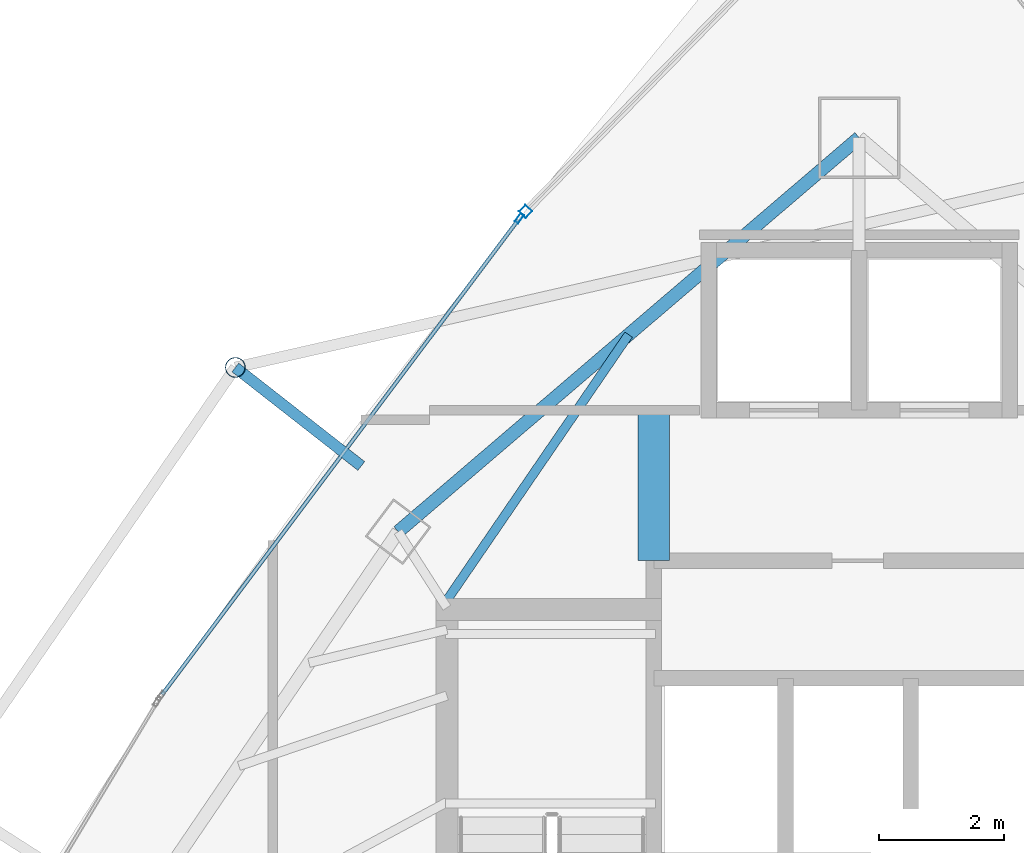
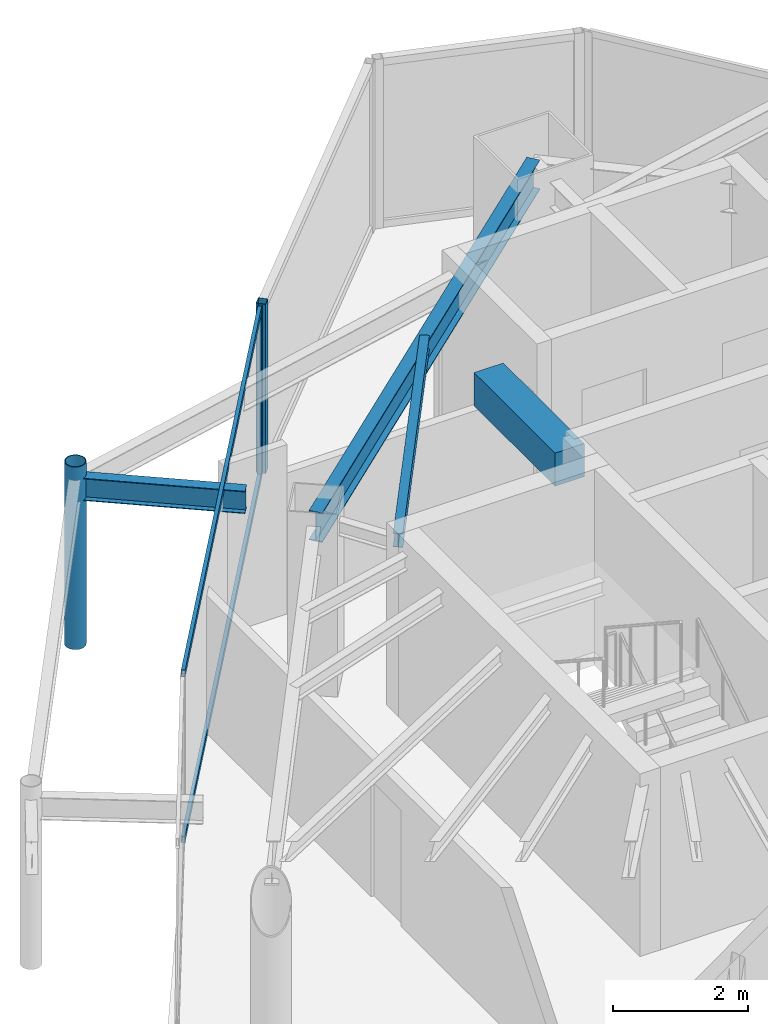
# One storey, part 20 of 29: 5 members, 4 beams, 2 elements without a shape of their own.
"""IFC4 building model written with IfcOpenShell, lengths in metres."""

from ifc_helpers import new_model, si_unit, direction, frame, origin, origin_2d, place, context, subcontext, project, spatial, rectangle, hollow_rectangle, hollow_circle, i_section, extrude, material, layer, layer_set, material_profile, profile_set, type_object, element, aggregate, save


model = new_model("IFC4")

# Units and contexts
model_context = context("Model", 3, precision=1e-05, world=origin(), true_north=direction((0.0, 1.0)))
body_context = subcontext(model_context, "Body", "Model", "MODEL_VIEW")
ifc_project = project(units=[si_unit("LENGTHUNIT", "METRE"), si_unit("AREAUNIT", "SQUARE_METRE"), si_unit("VOLUMEUNIT", "CUBIC_METRE"), si_unit("PLANEANGLEUNIT", "RADIAN"), si_unit("MASSUNIT", "GRAM", prefix="KILO")], contexts=[model_context])

# Site, building, storey
site_placement = place(None, origin())
site = spatial("IfcSite", under=ifc_project, at=site_placement, CompositionType="ELEMENT")
building_placement = place(site_placement, origin())
building = spatial("IfcBuilding", under=site, at=building_placement, Name="Orvanel Arch Residences", CompositionType="ELEMENT")
storey_placement = place(building_placement, frame((0.0, 0.0, 250.25)))
storey = spatial("IfcBuildingStorey", under=building, at=storey_placement, Name="L71", CompositionType="ELEMENT", Elevation=250.25)

# Beams
ifc_material_1 = material(Name="Structural steel AS/NZS 3679.1 Grade 300 (300 MPa)", Category="steel")
ifc_material_profile_1 = material_profile(ifc_material_1, i_section(OverallWidth=0.14599609375, OverallDepth=0.251953125, WebThickness=0.006103515625, FlangeThickness=0.008544921875, at=origin_2d()), Name="250UB31.4")
ifc_profile_set_1 = profile_set([ifc_material_profile_1], Name="Structural steel AS/NZS 3679.1 Grade 300 (300 MPa)")
beam_type_1 = type_object("IfcBeamType", Name="BJ-250UB", PredefinedType="JOIST", material=ifc_profile_set_1)
beam_1_placement = place(storey_placement, frame((26.425048828125, 34.02001953125, 2.93408203125), z_axis=(0.564868085352, 0.825181220188, 0.0), x_axis=(-0.825181220188, 0.564868085352, 0.0)))
element("IfcBeam", 1, at=beam_1_placement, inside=storey, type_object=beam_type_1, Name="L71 NNW2 Wing Floor Joist", PredefinedType="JOIST", context=body_context, shape_type="SweptSolid", body=[
    extrude(i_section(OverallWidth=0.14599609375, OverallDepth=0.251953125, WebThickness=0.006103515625, FlangeThickness=0.008544921875, at=origin_2d()), origin(), (0.0, 0.0, 1.0), 5.132080078125),
])
ifc_material_2 = material(Name="Concrete S65 (65 MPa)", Category="concrete")
ifc_material_profile_2 = material_profile(ifc_material_2, rectangle(XDim=0.5, YDim=0.60009765625, at=origin_2d()), Name="RC500x600")
ifc_profile_set_2 = profile_set([ifc_material_profile_2], Name="Concrete S65 (65 MPa)")
beam_type_2 = type_object("IfcBeamType", Name="CB-500x600", PredefinedType="LINTEL", material=ifc_profile_set_2)
beam_2_placement = place(storey_placement, frame((29.72509765625, 34.64990234375, 2.760009765625), z_axis=(0.0, 1.0, 0.0), x_axis=(-1.0, 0.0, 0.0)))
element("IfcBeam", 2, at=beam_2_placement, inside=storey, type_object=beam_type_2, Name="L71 West Core Lobby Coupling Lintel Beam", PredefinedType="LINTEL", context=body_context, shape_type="SweptSolid", body=[
    extrude(rectangle(XDim=0.5, YDim=0.60009765625, at=origin_2d()), origin(), (0.0, 0.0, 1.0), 2.400146484375),
])

# Curtain wall, member
ifc_material_3 = material(Name="Bronze-anodised aluminium AA6063-T6", Category="aluminium")
ifc_layer_1 = layer(ifc_material_3, 0.18994140625)
ifc_layer_set_1 = layer_set([ifc_layer_1], Name="Bronze-anodised aluminium AA6063-T6")
curtain_wall_type_1 = type_object("IfcCurtainWallType", Name="CW5-CRN-SYS", PredefinedType="NOTDEFINED", material=ifc_layer_set_1)
curtain_wall_1_placement = place(storey_placement, origin())
curtain_wall_1 = element("IfcCurtainWall", 3, at=curtain_wall_1_placement, inside=storey, type_object=curtain_wall_type_1, Name="L71 CW5-CRN-SYS Unitised Curtain Wall", PredefinedType="NOTDEFINED")
ifc_material_profile_3 = material_profile(ifc_material_3, hollow_rectangle(XDim=0.14990234375, YDim=0.14990234375, WallThickness=0.0048828125, at=origin_2d()), Name="ALU150x150x5")
ifc_profile_set_3 = profile_set([ifc_material_profile_3], Name="Bronze-anodised aluminium AA6063-T6")
member_type_1 = type_object("IfcMemberType", Name="MUL-150x150", PredefinedType="MULLION", material=ifc_profile_set_3)
member_1_placement = place(storey_placement, frame((27.679443359375, 40.220703125, 0.0), z_axis=(0.0, 0.0, 1.0), x_axis=(0.714469105473, -0.699666990307, 0.0)))
member_1 = element("IfcMember", 4, at=member_1_placement, type_object=member_type_1, Name="CW-S5 mullion 2", PredefinedType="MULLION", context=body_context, shape_type="SweptSolid", body=[
    extrude(hollow_rectangle(XDim=0.14990234375, YDim=0.14990234375, WallThickness=0.0048828125, at=origin_2d()), origin(), (0.0, 0.0, 1.0), 3.06005859375),
])
aggregate(curtain_wall_1, [member_1])

ifc_layer_2 = layer(ifc_material_3, 0.175048828125)
ifc_layer_set_2 = layer_set([ifc_layer_2], Name="Bronze-anodised aluminium AA6063-T6")
curtain_wall_type_2 = type_object("IfcCurtainWallType", Name="CW4-HI-SYS", PredefinedType="NOTDEFINED", material=ifc_layer_set_2)
curtain_wall_2_placement = place(storey_placement, origin())
curtain_wall_2 = element("IfcCurtainWall", 5, at=curtain_wall_2_placement, inside=storey, type_object=curtain_wall_type_2, Name="L71 CW4-HI-SYS Unitised Curtain Wall", PredefinedType="NOTDEFINED")
ifc_material_profile_4 = material_profile(ifc_material_3, hollow_rectangle(XDim=0.06494140625, YDim=0.159912109375, WallThickness=0.00390625, at=origin_2d()), Name="ALU160x65x4")
ifc_profile_set_4 = profile_set([ifc_material_profile_4], Name="Bronze-anodised aluminium AA6063-T6")
member_type_2 = type_object("IfcMemberType", Name="MUL-160x65", PredefinedType="MULLION", material=ifc_profile_set_4)
member_2_placement = place(storey_placement, frame((27.58154296875, 40.111083984375, 0.0), z_axis=(0.0, 0.0, 1.0), x_axis=(0.79988739913, -0.600150105151, 0.0)))
member_2 = element("IfcMember", 6, at=member_2_placement, type_object=member_type_2, Name="CW-S4 mullion 1", PredefinedType="MULLION", context=body_context, shape_type="SweptSolid", body=[
    extrude(hollow_rectangle(XDim=0.06494140625, YDim=0.159912109375, WallThickness=0.00390625, at=origin_2d()), origin(), (0.0, 0.0, 1.0), 3.06005859375),
])

# Beams
ifc_material_profile_5 = material_profile(ifc_material_1, i_section(OverallWidth=0.177978515625, OverallDepth=0.406005859375, WebThickness=0.0078125, FlangeThickness=0.0126953125, at=origin_2d()), Name="410UB59.7")
ifc_profile_set_5 = profile_set([ifc_material_profile_5], Name="Structural steel AS/NZS 3679.1 Grade 300 (300 MPa)")
beam_type_3 = type_object("IfcBeamType", Name="OB-410UB-EXT", PredefinedType="SPANDREL", material=ifc_profile_set_5)
beam_3_placement = place(storey_placement, frame((25.06005859375, 36.160888671875, 2.85693359375), z_axis=(-0.787595921672, 0.616192067594, 0.0), x_axis=(-0.616192067594, -0.787595921672, 0.0)))
element("IfcBeam", 7, at=beam_3_placement, inside=storey, type_object=beam_type_3, Name="L71 Outer Frame Radial Tie Beam 01", PredefinedType="SPANDREL", context=body_context, shape_type="SweptSolid", body=[
    extrude(i_section(OverallWidth=0.177978515625, OverallDepth=0.406005859375, WebThickness=0.0078125, FlangeThickness=0.0126953125, at=origin_2d()), origin(), (0.0, 0.0, 1.0), 2.549560546875),
])
ifc_material_profile_6 = material_profile(ifc_material_1, i_section(OverallWidth=0.208984375, OverallDepth=0.532958984375, WebThickness=0.01025390625, FlangeThickness=0.015625, at=origin_2d()), Name="530UB92.4")
ifc_profile_set_6 = profile_set([ifc_material_profile_6], Name="Structural steel AS/NZS 3679.1 Grade 300 (300 MPa)")
beam_type_4 = type_object("IfcBeamType", Name="SP-530UB", PredefinedType="SPANDREL", material=ifc_profile_set_6)
beam_4_placement = place(storey_placement, frame((33.0, 41.39794921875, 2.79296875), z_axis=(-0.760116518398, -0.649786794617, 0.0), x_axis=(0.649786794617, -0.760116518398, 0.0)))
element("IfcBeam", 8, at=beam_4_placement, inside=storey, type_object=beam_type_4, Name="L71 Perimeter Spandrel Beam 10", PredefinedType="SPANDREL", context=body_context, shape_type="SweptSolid", body=[
    extrude(i_section(OverallWidth=0.208984375, OverallDepth=0.532958984375, WebThickness=0.01025390625, FlangeThickness=0.015625, at=origin_2d()), origin(), (0.0, 0.0, 1.0), 9.67236328125),
])

# Member
ifc_material_4 = material(Name="Structural steel AS/NZS 1163 C350L0 (Grade 350)", Category="steel")
ifc_material_profile_7 = material_profile(ifc_material_4, hollow_circle(Radius=0.162109375, WallThickness=0.0126953125, at=origin_2d()), Name="CHS324x12.7")
ifc_profile_set_7 = profile_set([ifc_material_profile_7], Name="Structural steel AS/NZS 1163 C350L0 (Grade 350)")
member_type_3 = type_object("IfcMemberType", Name="ST-324CHS-EXT", PredefinedType="STRUT", material=ifc_profile_set_7)
member_3_placement = place(storey_placement, frame((23.052001953125, 37.73193359375, 0.0), z_axis=(0.0, 0.0, 1.0), x_axis=(1.0, 0.0, 0.0)))
element("IfcMember", 9, at=member_3_placement, inside=storey, type_object=member_type_3, Name="L71 Outer Perimeter Frame Post 01", PredefinedType="STRUT", context=body_context, shape_type="SweptSolid", body=[
    extrude(hollow_circle(Radius=0.162109375, WallThickness=0.0126953125, at=origin_2d()), origin(), (0.0, 0.0, 1.0), 3.300048828125),
])

ifc_material_profile_8 = material_profile(ifc_material_3, hollow_rectangle(XDim=0.06005859375, YDim=0.1201171875, WallThickness=0.00341796875, at=origin_2d()), Name="ALU120x60x3.5")
ifc_profile_set_8 = profile_set([ifc_material_profile_8], Name="Bronze-anodised aluminium AA6063-T6")
member_type_4 = type_object("IfcMemberType", Name="TRN-120x60", PredefinedType="USERDEFINED", material=ifc_profile_set_8)
member_4_placement = place(storey_placement, frame((27.56201171875, 40.0849609375, 0.030029296875), z_axis=(-0.600156858492, -0.7998823321, 0.0), x_axis=(0.7998823321, -0.600156858492, 0.0)))
member_4 = element("IfcMember", 10, at=member_4_placement, type_object=member_type_4, Name="CW-S4 transom 1.1", ObjectType="TRANSOM", PredefinedType="USERDEFINED", context=body_context, shape_type="SweptSolid", body=[
    extrude(hollow_rectangle(XDim=0.06005859375, YDim=0.1201171875, WallThickness=0.00341796875, at=origin_2d()), origin(), (0.0, 0.0, 1.0), 9.46240234375),
])

member_5_placement = place(storey_placement, frame((27.56201171875, 40.0849609375, 3.030029296875), z_axis=(-0.600156858492, -0.7998823321, 0.0), x_axis=(0.7998823321, -0.600156858492, 0.0)))
member_5 = element("IfcMember", 11, at=member_5_placement, type_object=member_type_4, Name="CW-S4 transom 1.2", ObjectType="TRANSOM", PredefinedType="USERDEFINED", context=body_context, shape_type="SweptSolid", body=[
    extrude(hollow_rectangle(XDim=0.06005859375, YDim=0.1201171875, WallThickness=0.00341796875, at=origin_2d()), origin(), (0.0, 0.0, 1.0), 9.46240234375),
])

aggregate(curtain_wall_2, [member_2, member_4, member_5])

save(model, "model.ifc")
